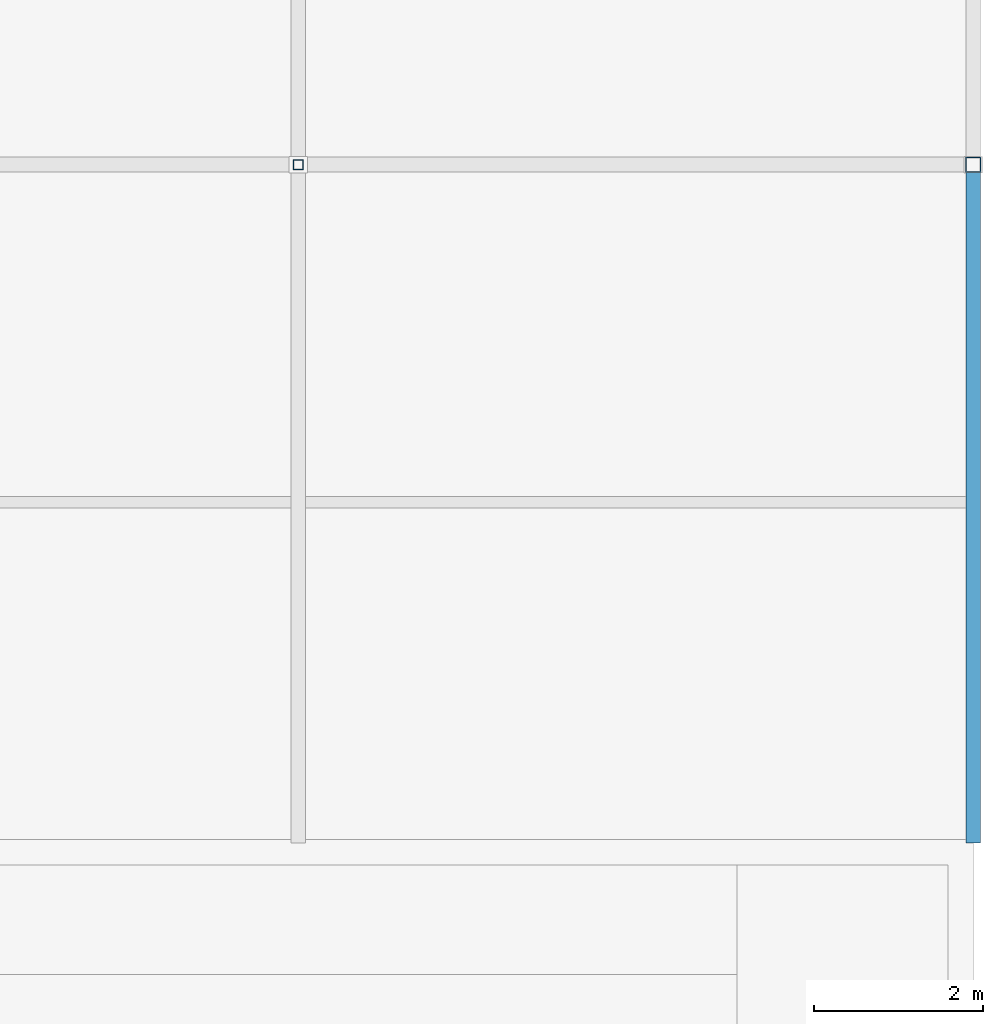
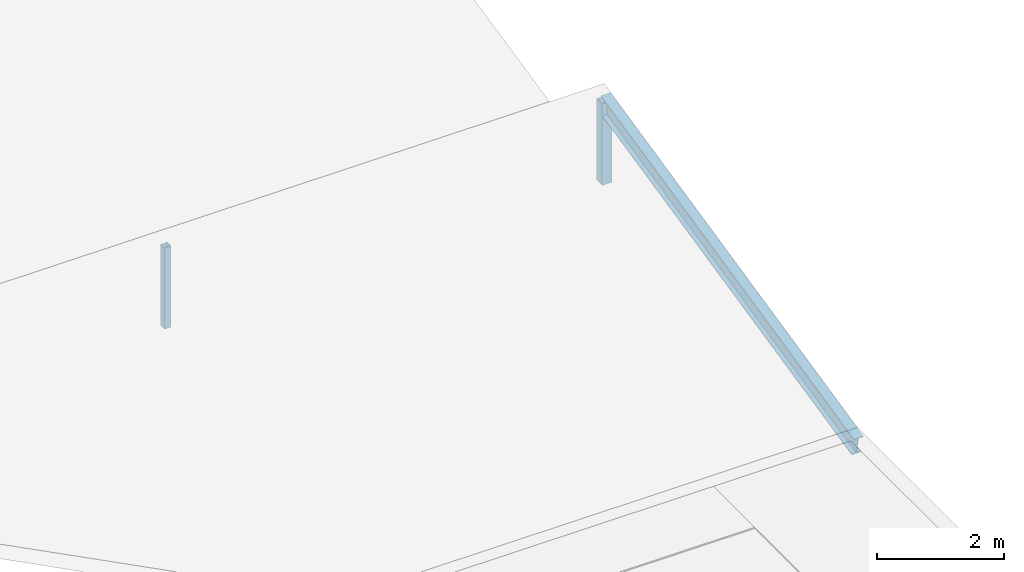
# One storey, part 18 of 31: 3 members.
"""IFC4 building model written with IfcOpenShell, lengths in metres."""

from ifc_helpers import new_model, si_unit, direction, frame, origin, origin_2d, place, context, subcontext, project, spatial, hollow_rectangle, i_section, extrude, material, material_profile, profile_set, type_object, element, save


model = new_model("IFC4")

# Units and contexts
model_context = context("Model", 3, precision=1e-05, world=origin(), true_north=direction((0.0, 1.0)))
body_context = subcontext(model_context, "Body", "Model", "MODEL_VIEW")
ifc_project = project(units=[si_unit("LENGTHUNIT", "METRE"), si_unit("AREAUNIT", "SQUARE_METRE"), si_unit("VOLUMEUNIT", "CUBIC_METRE"), si_unit("PLANEANGLEUNIT", "RADIAN"), si_unit("MASSUNIT", "GRAM", prefix="KILO")], contexts=[model_context])

# Site, building, storey
site_placement = place(None, origin())
site = spatial("IfcSite", under=ifc_project, at=site_placement, CompositionType="ELEMENT")
building_placement = place(site_placement, origin())
building = spatial("IfcBuilding", under=site, at=building_placement, Name="Celadon Cloister-Ring School", CompositionType="ELEMENT")
storey_placement = place(building_placement, frame((0.0, 0.0, 16.5)))
storey = spatial("IfcBuildingStorey", under=building, at=storey_placement, Name="L04", CompositionType="ELEMENT", Elevation=16.5)

# Members
ifc_material_1 = material(Name="Structural steel S355JR", Category="steel")
ifc_material_profile_1 = material_profile(ifc_material_1, hollow_rectangle(XDim=0.179931640625, YDim=0.179931640625, WallThickness=0.008056640625, at=origin_2d()), Name="HSS180X180X8")
ifc_profile_set_1 = profile_set([ifc_material_profile_1], Name="Structural steel S355JR")
member_type_1 = type_object("IfcMemberType", Name="MB-04", PredefinedType="BRACE", material=ifc_profile_set_1)
member_1_placement = place(storey_placement, frame((174.0, 48.0, -0.10009765625), z_axis=(0.0, 0.0, 1.0), x_axis=(1.0, 0.0, 0.0)))
element("IfcMember", 1, at=member_1_placement, inside=storey, type_object=member_type_1, Name="Structural Member 0594", PredefinedType="BRACE", context=body_context, shape_type="SweptSolid", body=[
    extrude(hollow_rectangle(XDim=0.179931640625, YDim=0.179931640625, WallThickness=0.008056640625, at=origin_2d()), origin(), (0.0, 0.0, 1.0), 1.567138671875),
])
ifc_material_2 = material(Name="Structural steel S355JR", Category="steel")
ifc_material_profile_2 = material_profile(ifc_material_2, hollow_rectangle(XDim=0.1201171875, YDim=0.1201171875, WallThickness=0.006103515625, at=origin_2d()), Name="HSS120X120X6")
ifc_profile_set_2 = profile_set([ifc_material_profile_2], Name="Structural steel S355JR")
member_type_2 = type_object("IfcMemberType", Name="MB-06", PredefinedType="BRACE", material=ifc_profile_set_2)
member_2_placement = place(storey_placement, frame((166.0, 48.0, -0.10009765625), z_axis=(0.0, 0.0, 1.0), x_axis=(1.0, 0.0, 0.0)))
element("IfcMember", 2, at=member_2_placement, inside=storey, type_object=member_type_2, Name="Structural Member 0592", PredefinedType="BRACE", context=body_context, shape_type="SweptSolid", body=[
    extrude(hollow_rectangle(XDim=0.1201171875, YDim=0.1201171875, WallThickness=0.006103515625, at=origin_2d()), origin(), (0.0, 0.0, 1.0), 1.567138671875),
])
ifc_material_3 = material(Name="Structural steel S355JR", Category="steel")
ifc_material_profile_3 = material_profile(ifc_material_3, i_section(OverallWidth=0.1708984375, OverallDepth=0.35498046875, WebThickness=0.007080078125, FlangeThickness=0.01171875, at=origin_2d()), Name="W360X51")
ifc_profile_set_3 = profile_set([ifc_material_profile_3], Name="Structural steel S355JR")
member_type_3 = type_object("IfcMemberType", Name="MR-05", PredefinedType="RAFTER", material=ifc_profile_set_3)
member_3_placement = place(storey_placement, frame((174.0, 40.0, -0.35302734375), z_axis=(0.0, 0.976128848743, 0.217192243536), x_axis=(-1.0, 0.0, 0.0)))
element("IfcMember", 3, at=member_3_placement, inside=storey, type_object=member_type_3, Name="Structural Member 0595", PredefinedType="RAFTER", context=body_context, shape_type="SweptSolid", body=[
    extrude(i_section(OverallWidth=0.1708984375, OverallDepth=0.35498046875, WebThickness=0.007080078125, FlangeThickness=0.01171875, at=origin_2d()), origin(), (0.0, 0.0, 1.0), 8.195556640625),
])

save(model, "model.ifc")
